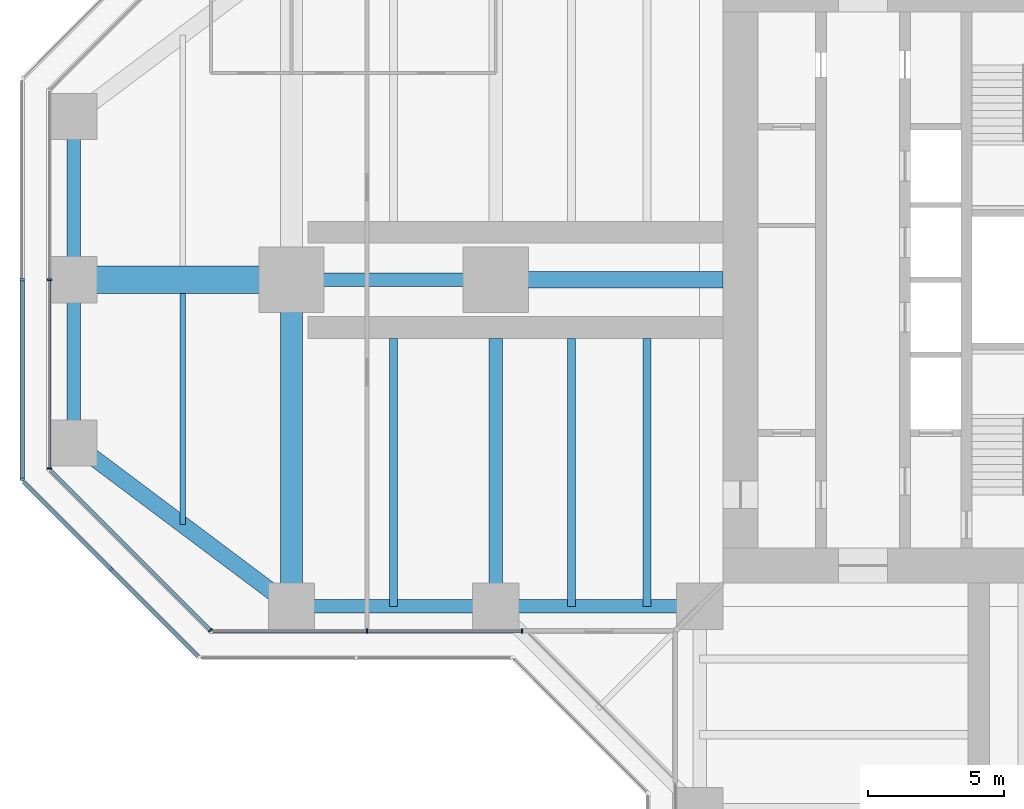
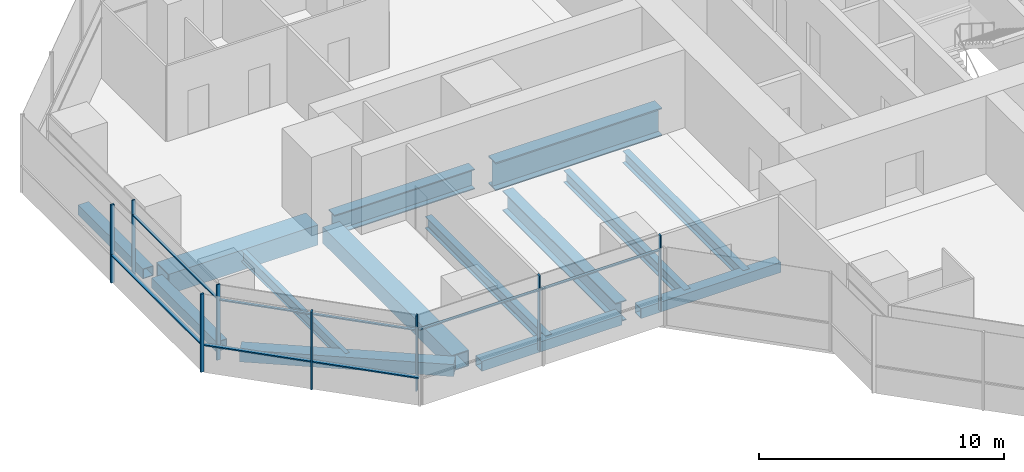
# One storey, part 3 of 19: 15 members, 14 beams, 5 elements without a shape of their own.
"""IFC4 building model written with IfcOpenShell, lengths in metres."""

from ifc_helpers import new_model, si_unit, direction, frame, origin, origin_2d, place, context, subcontext, project, spatial, rectangle, hollow_rectangle, i_section, extrude, material, material_profile, profile_set, type_object, element, aggregate, save


model = new_model("IFC4")

# Units and contexts
model_context = context("Model", 3, precision=1e-05, world=origin(), true_north=direction((0.0, 1.0)))
body_context = subcontext(model_context, "Body", "Model", "MODEL_VIEW")
ifc_project = project(units=[si_unit("LENGTHUNIT", "METRE"), si_unit("AREAUNIT", "SQUARE_METRE"), si_unit("VOLUMEUNIT", "CUBIC_METRE"), si_unit("PLANEANGLEUNIT", "RADIAN"), si_unit("MASSUNIT", "GRAM", prefix="KILO")], contexts=[model_context])

# Site, building, storey
site_placement = place(None, origin())
site = spatial("IfcSite", under=ifc_project, at=site_placement, CompositionType="ELEMENT")
building_placement = place(site_placement, origin())
building = spatial("IfcBuilding", under=site, at=building_placement, Name="Mizan Broadcast Tower", CompositionType="ELEMENT")
storey_placement = place(building_placement, frame((0.0, 0.0, 167.10009765625)))
storey = spatial("IfcBuildingStorey", under=building, at=storey_placement, Name="L38", CompositionType="ELEMENT", Elevation=167.10009765625)

# Beams
ifc_material_1 = material(Name="Steel S355", Category="steel")
ifc_material_profile_1 = material_profile(ifc_material_1, hollow_rectangle(XDim=0.5, YDim=0.5, WallThickness=0.030029296875, at=origin_2d()), Name="BOX 500x500x30")
ifc_profile_set_1 = profile_set([ifc_material_profile_1], Name="Steel S355")
beam_type_1 = type_object("IfcBeamType", Name="EDGE BEAM BOX 500x500x30", PredefinedType="SPANDREL", material=ifc_profile_set_1)
beam_1_placement = place(storey_placement, frame((-35.0, 5.639892578125, -0.380126953125), z_axis=(0.0, -1.0, 0.0), x_axis=(1.0, 0.0, 0.0)))
element("IfcBeam", 1, at=beam_1_placement, inside=storey, type_object=beam_type_1, Name="Edge beam BOX 500x500x30 L38 west arm", PredefinedType="SPANDREL", context=body_context, shape_type="SweptSolid", body=[
    extrude(hollow_rectangle(XDim=0.5, YDim=0.5, WallThickness=0.030029296875, at=origin_2d()), origin(), (0.0, 0.0, 1.0), 5.27978515625),
])
for number, where, z_axis, x_axis, name in (
    (2, (-12.449951171875, -12.0, -0.380126953125), (-1.0, 0.0, 0.0), (0.0, -1.0, 0.0), "Edge beam BOX 500x500x30 L38 west arm"),
    (3, (-19.949951171875, -12.0, -0.380126953125), (-1.0, 0.0, 0.0), (0.0, -1.0, 0.0), "Edge beam BOX 500x500x30 L38 west arm"),
):
    element("IfcBeam", number, at=place(storey_placement, frame(where, z_axis=z_axis, x_axis=x_axis)), inside=storey, type_object=beam_type_1, Name=name, PredefinedType="SPANDREL", context=body_context, shape_type="SweptSolid", body=[
        extrude(hollow_rectangle(XDim=0.5, YDim=0.5, WallThickness=0.030029296875, at=origin_2d()), origin(), (0.0, 0.0, 1.0), 6.60009765625),
    ])
beam_2_placement = place(storey_placement, frame((-35.0, -5.639892578125, -0.380126953125), z_axis=(0.0, 1.0, 0.0), x_axis=(-1.0, 0.0, 0.0)))
element("IfcBeam", 4, at=beam_2_placement, inside=storey, type_object=beam_type_1, Name="Edge beam BOX 500x500x30 L38 west arm", PredefinedType="SPANDREL", context=body_context, shape_type="SweptSolid", body=[
    extrude(hollow_rectangle(XDim=0.5, YDim=0.5, WallThickness=0.030029296875, at=origin_2d()), origin(), (0.0, 0.0, 1.0), 5.27978515625),
])
ifc_material_2 = material(Name="Steel S355", Category="steel")
ifc_material_profile_2 = material_profile(ifc_material_2, hollow_rectangle(XDim=0.60009765625, YDim=0.60009765625, WallThickness=0.030029296875, at=origin_2d()), Name="BOX 600x600x30")
ifc_profile_set_2 = profile_set([ifc_material_profile_2], Name="Steel S355")
beam_type_2 = type_object("IfcBeamType", Name="EDGE BEAM BOX 600x600x30", PredefinedType="SPANDREL", material=ifc_profile_set_2)
beam_3_placement = place(storey_placement, frame((-27.47998046875, -11.639892578125, -0.43017578125), z_axis=(-0.800013316712, 0.599982243973, 0.0), x_axis=(-0.599982243973, -0.800013316712, 0.0)))
element("IfcBeam", 5, at=beam_3_placement, inside=storey, type_object=beam_type_2, Name="Edge beam BOX 600x600x30 L38 west arm", PredefinedType="SPANDREL", context=body_context, shape_type="SweptSolid", body=[
    extrude(hollow_rectangle(XDim=0.60009765625, YDim=0.60009765625, WallThickness=0.030029296875, at=origin_2d()), origin(), (0.0, 0.0, 1.0), 8.7998046875),
])
ifc_material_3 = material(Name="Steel S460", Category="steel")
ifc_material_profile_3 = material_profile(ifc_material_3, hollow_rectangle(XDim=1.0, YDim=1.0, WallThickness=0.06005859375, at=origin_2d()), Name="BOX 1000x1000x60")
ifc_profile_set_3 = profile_set([ifc_material_profile_3], Name="Steel S460")
beam_type_3 = type_object("IfcBeamType", Name="GIRDER BOX 1000x1000x60", PredefinedType="BEAM", material=ifc_profile_set_3)
beam_4_placement = place(storey_placement, frame((-27.47998046875, 0.0, -0.630126953125), z_axis=(-1.0, 0.0, 0.0), x_axis=(0.0, -1.0, 0.0)))
element("IfcBeam", 6, at=beam_4_placement, inside=storey, type_object=beam_type_3, Name="Girder BOX 1000x1000x60 L38 west arm", PredefinedType="BEAM", context=body_context, shape_type="SweptSolid", body=[
    extrude(hollow_rectangle(XDim=1.0, YDim=1.0, WallThickness=0.06005859375, at=origin_2d()), origin(), (0.0, 0.0, 1.0), 7.0400390625),
])
ifc_material_4 = material(Name="Steel S460", Category="steel")
ifc_material_profile_4 = material_profile(ifc_material_4, hollow_rectangle(XDim=0.800048828125, YDim=0.800048828125, WallThickness=0.050048828125, at=origin_2d()), Name="BOX 800x800x50")
ifc_profile_set_4 = profile_set([ifc_material_profile_4], Name="Steel S460")
beam_type_4 = type_object("IfcBeamType", Name="GIRDER BOX 800x800x50", PredefinedType="BEAM", material=ifc_profile_set_4)
beam_5_placement = place(storey_placement, frame((-27.0, -11.280029296875, -0.530029296875), z_axis=(0.0, 1.0, 0.0), x_axis=(-1.0, 0.0, 0.0)))
element("IfcBeam", 7, at=beam_5_placement, inside=storey, type_object=beam_type_4, Name="Girder BOX 800x800x50 L38 west arm", PredefinedType="BEAM", context=body_context, shape_type="SweptSolid", body=[
    extrude(hollow_rectangle(XDim=0.800048828125, YDim=0.800048828125, WallThickness=0.050048828125, at=origin_2d()), origin(), (0.0, 0.0, 1.0), 10.56005859375),
])
ifc_material_5 = material(Name="Steel S460", Category="steel")
ifc_material_profile_5 = material_profile(ifc_material_5, i_section(OverallWidth=0.5, OverallDepth=1.0, WebThickness=0.02490234375, FlangeThickness=0.050048828125, at=origin_2d()), Name="WPG 1000x500")
ifc_profile_set_5 = profile_set([ifc_material_profile_5], Name="Steel S460")
beam_type_5 = type_object("IfcBeamType", Name="GIRDER WPG 1000x500", PredefinedType="BEAM", material=ifc_profile_set_5)
beam_6_placement = place(storey_placement, frame((-19.949951171875, 0.0, -0.630126953125), z_axis=(-1.0, 0.0, 0.0), x_axis=(0.0, -1.0, 0.0)))
element("IfcBeam", 8, at=beam_6_placement, inside=storey, type_object=beam_type_5, Name="Girder WPG 1000x500 L38 west arm", PredefinedType="BEAM", context=body_context, shape_type="SweptSolid", body=[
    extrude(i_section(OverallWidth=0.5, OverallDepth=1.0, WebThickness=0.02490234375, FlangeThickness=0.050048828125, at=origin_2d()), origin(), (0.0, 0.0, 1.0), 6.60009765625),
])
beam_7_placement = place(storey_placement, frame((-19.5, -11.408935546875, -0.630126953125), z_axis=(0.0, 1.0, 0.0), x_axis=(-1.0, 0.0, 0.0)))
element("IfcBeam", 9, at=beam_7_placement, inside=storey, type_object=beam_type_5, Name="Girder WPG 1000x500 L38 west arm", PredefinedType="BEAM", context=body_context, shape_type="SweptSolid", body=[
    extrude(i_section(OverallWidth=0.5, OverallDepth=1.0, WebThickness=0.02490234375, FlangeThickness=0.050048828125, at=origin_2d()), origin(), (0.0, 0.0, 1.0), 9.259033203125),
])
ifc_material_6 = material(Name="Steel S460", Category="steel")
ifc_material_profile_6 = material_profile(ifc_material_6, i_section(OverallWidth=0.60009765625, OverallDepth=1.39990234375, WebThickness=0.02490234375, FlangeThickness=0.06005859375, at=origin_2d()), Name="WPG 1400x600")
ifc_profile_set_6 = profile_set([ifc_material_profile_6], Name="Steel S460")
beam_type_6 = type_object("IfcBeamType", Name="GIRDER WPG 1400x600", PredefinedType="BEAM", material=ifc_profile_set_6)
beam_8_placement = place(storey_placement, frame((-11.14990234375, 0.0, -0.830078125), z_axis=(-1.0, 0.0, 0.0), x_axis=(0.0, -1.0, 0.0)))
element("IfcBeam", 10, at=beam_8_placement, inside=storey, type_object=beam_type_6, Name="Girder WPG 1400x600 L38 west arm", PredefinedType="BEAM", context=body_context, shape_type="SweptSolid", body=[
    extrude(i_section(OverallWidth=0.60009765625, OverallDepth=1.39990234375, WebThickness=0.02490234375, FlangeThickness=0.06005859375, at=origin_2d()), origin(), (0.0, 0.0, 1.0), 7.84912109375),
])

# Curtain wall, members
ifc_material_7 = material(Name="Aluminium framed glazing", Category="aluminium")
curtain_wall_type_1 = type_object("IfcCurtainWallType", Name="INNER SKIN MID ZONE", PredefinedType="USERDEFINED", material=ifc_material_7)
curtain_wall_1_placement = place(storey_placement, origin())
curtain_wall_1 = element("IfcCurtainWall", 11, at=curtain_wall_1_placement, inside=storey, type_object=curtain_wall_type_1, Name="Inner skin mid zone L38 W end", ObjectType="INNER SKIN MID ZONE", PredefinedType="USERDEFINED")
ifc_material_8 = material(Name="Aluminium, pale anodised", Category="aluminium")
ifc_material_profile_7 = material_profile(ifc_material_8, rectangle(XDim=0.159912109375, YDim=0.06005859375, at=origin_2d()), Name="MULLION 160x60")
ifc_profile_set_7 = profile_set([ifc_material_profile_7], Name="Aluminium, pale anodised")
member_type_1 = type_object("IfcMemberType", Name="INNER SKIN MULLION 60x160", PredefinedType="MULLION", material=ifc_profile_set_7)
member_1_placement = place(storey_placement, frame((-35.89990234375, 0.0, 0.0), z_axis=(0.0, 0.0, 1.0), x_axis=(1.0, 0.0, 0.0)))
member_1 = element("IfcMember", 12, at=member_1_placement, type_object=member_type_1, Name="Inner skin mid zone L38 W end mullion 2", PredefinedType="MULLION", context=body_context, shape_type="SweptSolid", body=[
    extrude(rectangle(XDim=0.159912109375, YDim=0.06005859375, at=origin_2d()), origin(), (0.0, 0.0, 1.0), 3.77001953125),
])
member_2_placement = place(storey_placement, frame((-35.89990234375, -6.928466796875, 0.0), z_axis=(0.0, 0.0, 1.0), x_axis=(1.0, 0.0, 0.0)))
member_2 = element("IfcMember", 13, at=member_2_placement, type_object=member_type_1, Name="Inner skin mid zone L38 W end mullion 3", PredefinedType="MULLION", context=body_context, shape_type="SweptSolid", body=[
    extrude(rectangle(XDim=0.159912109375, YDim=0.06005859375, at=origin_2d()), origin(), (0.0, 0.0, 1.0), 3.77001953125),
])

# Curtain wall, member
curtain_wall_2_placement = place(storey_placement, origin())
curtain_wall_2 = element("IfcCurtainWall", 14, at=curtain_wall_2_placement, inside=storey, type_object=curtain_wall_type_1, Name="Inner skin mid zone L38 W chamfer", ObjectType="INNER SKIN MID ZONE", PredefinedType="USERDEFINED")
member_3_placement = place(storey_placement, frame((-29.979736328125, -12.87890625, 0.0), z_axis=(0.0, 0.0, 1.0), x_axis=(0.707106781187, 0.707106781187, 0.0)))
member_3 = element("IfcMember", 15, at=member_3_placement, type_object=member_type_1, Name="Inner skin mid zone L38 W chamfer mullion 2", PredefinedType="MULLION", context=body_context, shape_type="SweptSolid", body=[
    extrude(rectangle(XDim=0.159912109375, YDim=0.06005859375, at=origin_2d()), origin(), (0.0, 0.0, 1.0), 3.77001953125),
])

# Curtain wall, members
curtain_wall_3_placement = place(storey_placement, origin())
curtain_wall_3 = element("IfcCurtainWall", 16, at=curtain_wall_3_placement, inside=storey, type_object=curtain_wall_type_1, Name="Inner skin mid zone L38 W side", ObjectType="INNER SKIN MID ZONE", PredefinedType="USERDEFINED")
member_4_placement = place(storey_placement, frame((-24.229248046875, -12.89990234375, 0.0), z_axis=(0.0, 0.0, 1.0), x_axis=(0.0, 1.0, 0.0)))
member_4 = element("IfcMember", 17, at=member_4_placement, type_object=member_type_1, Name="Inner skin mid zone L38 W side mullion 2", PredefinedType="MULLION", context=body_context, shape_type="SweptSolid", body=[
    extrude(rectangle(XDim=0.159912109375, YDim=0.06005859375, at=origin_2d()), origin(), (0.0, 0.0, 1.0), 3.77001953125),
])
member_5_placement = place(storey_placement, frame((-18.530029296875, -12.89990234375, 0.0), z_axis=(0.0, 0.0, 1.0), x_axis=(0.0, 1.0, 0.0)))
member_5 = element("IfcMember", 18, at=member_5_placement, type_object=member_type_1, Name="Inner skin mid zone L38 W side mullion 3", PredefinedType="MULLION", context=body_context, shape_type="SweptSolid", body=[
    extrude(rectangle(XDim=0.159912109375, YDim=0.06005859375, at=origin_2d()), origin(), (0.0, 0.0, 1.0), 3.77001953125),
])

# Member
ifc_material_9 = material(Name="Aluminium, pale anodised", Category="aluminium")
ifc_material_profile_8 = material_profile(ifc_material_9, rectangle(XDim=0.1201171875, YDim=0.06005859375, at=origin_2d()), Name="TRANSOM 120x60")
ifc_profile_set_8 = profile_set([ifc_material_profile_8], Name="Aluminium, pale anodised")
member_type_2 = type_object("IfcMemberType", Name="INNER SKIN TRANSOM 60x120", PredefinedType="USERDEFINED", material=ifc_profile_set_8)
member_6_placement = place(storey_placement, frame((-35.89990234375, -0.030029296875, 3.02978515625), z_axis=(0.0, -1.0, 0.0), x_axis=(1.0, 0.0, 0.0)))
member_6 = element("IfcMember", 19, at=member_6_placement, type_object=member_type_2, Name="Inner skin mid zone L38 W end transom 2.1", ObjectType="TRANSOM", PredefinedType="USERDEFINED", context=body_context, shape_type="SweptSolid", body=[
    extrude(rectangle(XDim=0.1201171875, YDim=0.06005859375, at=origin_2d()), origin(), (0.0, 0.0, 1.0), 6.86865234375),
])

aggregate(curtain_wall_1, [member_1, member_2, member_6])

member_7_placement = place(storey_placement, frame((-35.857666015625, -7.0009765625, 3.02978515625), z_axis=(0.707106781187, -0.707106781187, 0.0), x_axis=(0.707106781187, 0.707106781187, 0.0)))
member_7 = element("IfcMember", 20, at=member_7_placement, type_object=member_type_2, Name="Inner skin mid zone L38 W chamfer transom 1.1", ObjectType="TRANSOM", PredefinedType="USERDEFINED", context=body_context, shape_type="SweptSolid", body=[
    extrude(rectangle(XDim=0.1201171875, YDim=0.06005859375, at=origin_2d()), origin(), (0.0, 0.0, 1.0), 8.28271484375),
])

aggregate(curtain_wall_2, [member_3, member_7])

member_8_placement = place(storey_placement, frame((-29.898681640625, -12.89990234375, 3.02978515625), z_axis=(1.0, 0.0, 0.0), x_axis=(0.0, 1.0, 0.0)))
member_8 = element("IfcMember", 21, at=member_8_placement, type_object=member_type_2, Name="Inner skin mid zone L38 W side transom 1.1", ObjectType="TRANSOM", PredefinedType="USERDEFINED", context=body_context, shape_type="SweptSolid", body=[
    extrude(rectangle(XDim=0.1201171875, YDim=0.06005859375, at=origin_2d()), origin(), (0.0, 0.0, 1.0), 5.639404296875),
])

member_9_placement = place(storey_placement, frame((-24.19921875, -12.89990234375, 3.02978515625), z_axis=(1.0, 0.0, 0.0), x_axis=(0.0, 1.0, 0.0)))
member_9 = element("IfcMember", 22, at=member_9_placement, type_object=member_type_2, Name="Inner skin mid zone L38 W side transom 2.1", ObjectType="TRANSOM", PredefinedType="USERDEFINED", context=body_context, shape_type="SweptSolid", body=[
    extrude(rectangle(XDim=0.1201171875, YDim=0.06005859375, at=origin_2d()), origin(), (0.0, 0.0, 1.0), 5.63916015625),
])

aggregate(curtain_wall_3, [member_4, member_5, member_8, member_9])

# Curtain wall, members
ifc_material_10 = material(Name="Aluminium framed glazing", Category="aluminium")
curtain_wall_type_2 = type_object("IfcCurtainWallType", Name="OUTER SKIN", PredefinedType="USERDEFINED", material=ifc_material_10)
curtain_wall_4_placement = place(storey_placement, origin())
curtain_wall_4 = element("IfcCurtainWall", 23, at=curtain_wall_4_placement, inside=storey, type_object=curtain_wall_type_2, Name="Outer skin L38 W end", ObjectType="OUTER SKIN", PredefinedType="USERDEFINED")
ifc_material_11 = material(Name="Aluminium, pale anodised", Category="aluminium")
ifc_material_profile_9 = material_profile(ifc_material_11, rectangle(XDim=0.159912109375, YDim=0.080078125, at=origin_2d()), Name="MULLION 160x80")
ifc_profile_set_9 = profile_set([ifc_material_profile_9], Name="Aluminium, pale anodised")
member_type_3 = type_object("IfcMemberType", Name="OUTER SKIN MULLION 80x160", PredefinedType="MULLION", material=ifc_profile_set_9)
member_10_placement = place(storey_placement, frame((-36.89990234375, 0.0, 0.0), z_axis=(0.0, 0.0, 1.0), x_axis=(1.0, 0.0, 0.0)))
member_10 = element("IfcMember", 24, at=member_10_placement, type_object=member_type_3, Name="Outer skin L38 W end mullion 2", PredefinedType="MULLION", context=body_context, shape_type="SweptSolid", body=[
    extrude(rectangle(XDim=0.159912109375, YDim=0.080078125, at=origin_2d()), origin(), (0.0, 0.0, 1.0), 3.89990234375),
])
member_11_placement = place(storey_placement, frame((-36.89990234375, -7.332763671875, 0.0), z_axis=(0.0, 0.0, 1.0), x_axis=(1.0, 0.0, 0.0)))
member_11 = element("IfcMember", 25, at=member_11_placement, type_object=member_type_3, Name="Outer skin L38 W end mullion 3", PredefinedType="MULLION", context=body_context, shape_type="SweptSolid", body=[
    extrude(rectangle(XDim=0.159912109375, YDim=0.080078125, at=origin_2d()), origin(), (0.0, 0.0, 1.0), 3.89990234375),
])

# Curtain wall, member
curtain_wall_5_placement = place(storey_placement, origin())
curtain_wall_5 = element("IfcCurtainWall", 26, at=curtain_wall_5_placement, inside=storey, type_object=curtain_wall_type_2, Name="Outer skin L38 W chamfer", ObjectType="OUTER SKIN", PredefinedType="USERDEFINED")
member_12_placement = place(storey_placement, frame((-33.636474609375, -10.636474609375, 0.0), z_axis=(0.0, 0.0, 1.0), x_axis=(0.707106781187, 0.707106781187, 0.0)))
member_12 = element("IfcMember", 27, at=member_12_placement, type_object=member_type_3, Name="Outer skin L38 W chamfer mullion 2", PredefinedType="MULLION", context=body_context, shape_type="SweptSolid", body=[
    extrude(rectangle(XDim=0.159912109375, YDim=0.080078125, at=origin_2d()), origin(), (0.0, 0.0, 1.0), 3.89990234375),
])

# Member
ifc_material_12 = material(Name="Aluminium, pale anodised", Category="aluminium")
ifc_material_profile_10 = material_profile(ifc_material_12, rectangle(XDim=0.159912109375, YDim=0.06005859375, at=origin_2d()), Name="TRANSOM 160x60")
ifc_profile_set_10 = profile_set([ifc_material_profile_10], Name="Aluminium, pale anodised")
member_type_4 = type_object("IfcMemberType", Name="OUTER SKIN TRANSOM 60x160", PredefinedType="USERDEFINED", material=ifc_profile_set_10)
member_13_placement = place(storey_placement, frame((-36.89990234375, -0.0400390625, 1.39990234375), z_axis=(0.0, -1.0, 0.0), x_axis=(1.0, 0.0, 0.0)))
member_13 = element("IfcMember", 28, at=member_13_placement, type_object=member_type_4, Name="Outer skin L38 W end transom 2.1", ObjectType="TRANSOM", PredefinedType="USERDEFINED", context=body_context, shape_type="SweptSolid", body=[
    extrude(rectangle(XDim=0.159912109375, YDim=0.06005859375, at=origin_2d()), origin(), (0.0, 0.0, 1.0), 7.252685546875),
])

aggregate(curtain_wall_4, [member_10, member_11, member_13])

member_14_placement = place(storey_placement, frame((-36.843505859375, -7.429443359375, 1.39990234375), z_axis=(0.707106781187, -0.707106781187, 0.0), x_axis=(0.707106781187, 0.707106781187, 0.0)))
member_14 = element("IfcMember", 29, at=member_14_placement, type_object=member_type_4, Name="Outer skin L38 W chamfer transom 1.1", ObjectType="TRANSOM", PredefinedType="USERDEFINED", context=body_context, shape_type="SweptSolid", body=[
    extrude(rectangle(XDim=0.159912109375, YDim=0.06005859375, at=origin_2d()), origin(), (0.0, 0.0, 1.0), 4.495361328125),
])

member_15_placement = place(storey_placement, frame((-33.608154296875, -10.664794921875, 1.39990234375), z_axis=(0.707106781187, -0.707106781187, 0.0), x_axis=(0.707106781187, 0.707106781187, 0.0)))
member_15 = element("IfcMember", 30, at=member_15_placement, type_object=member_type_4, Name="Outer skin L38 W chamfer transom 2.1", ObjectType="TRANSOM", PredefinedType="USERDEFINED", context=body_context, shape_type="SweptSolid", body=[
    extrude(rectangle(XDim=0.159912109375, YDim=0.06005859375, at=origin_2d()), origin(), (0.0, 0.0, 1.0), 4.495361328125),
])

aggregate(curtain_wall_5, [member_12, member_14, member_15])

# Beams
ifc_material_13 = material(Name="Steel S355", Category="steel")
ifc_material_profile_11 = material_profile(ifc_material_13, i_section(OverallWidth=0.300048828125, OverallDepth=0.590087890625, WebThickness=0.012939453125, FlangeThickness=0.02490234375, FilletRadius=0.027099609375, at=origin_2d()), Name="HEA 600")
ifc_profile_set_11 = profile_set([ifc_material_profile_11], Name="Steel S355")
beam_type_7 = type_object("IfcBeamType", Name="SECONDARY BEAM HEA 600", PredefinedType="JOIST", material=ifc_profile_set_11)
for number, where, z_axis, x_axis, name in (
    (31, (-13.933349609375, -12.0, -0.425048828125), (0.0, 1.0, 0.0), (-1.0, 0.0, 0.0), "Secondary beam HEA 600 L38 west arm"),
    (32, (-16.716552734375, -12.0, -0.425048828125), (0.0, 1.0, 0.0), (-1.0, 0.0, 0.0), "Secondary beam HEA 600 L38 west arm"),
    (33, (-23.25, -12.0, -0.425048828125), (0.0, 1.0, 0.0), (-1.0, 0.0, 0.0), "Secondary beam HEA 600 L38 west arm"),
):
    element("IfcBeam", number, at=place(storey_placement, frame(where, z_axis=z_axis, x_axis=x_axis)), inside=storey, type_object=beam_type_7, Name=name, PredefinedType="JOIST", context=body_context, shape_type="SweptSolid", body=[
        extrude(i_section(OverallWidth=0.300048828125, OverallDepth=0.590087890625, WebThickness=0.012939453125, FlangeThickness=0.02490234375, FilletRadius=0.027099609375, at=origin_2d()), origin(), (0.0, 0.0, 1.0), 9.85009765625),
    ])
ifc_material_14 = material(Name="Steel S355", Category="steel")
ifc_material_profile_12 = material_profile(ifc_material_14, i_section(OverallWidth=0.2099609375, OverallDepth=0.550048828125, WebThickness=0.010986328125, FlangeThickness=0.01708984375, FilletRadius=0.02392578125, at=origin_2d()), Name="IPE 550")
ifc_profile_set_12 = profile_set([ifc_material_profile_12], Name="Steel S355")
beam_type_8 = type_object("IfcBeamType", Name="SECONDARY BEAM IPE 550", PredefinedType="JOIST", material=ifc_profile_set_12)
beam_9_placement = place(storey_placement, frame((-31.0, -9.0, -0.405029296875), z_axis=(0.0, 1.0, 0.0), x_axis=(-1.0, 0.0, 0.0)))
element("IfcBeam", 34, at=beam_9_placement, inside=storey, type_object=beam_type_8, Name="Secondary beam IPE 550 L38 west arm", PredefinedType="JOIST", context=body_context, shape_type="SweptSolid", body=[
    extrude(i_section(OverallWidth=0.2099609375, OverallDepth=0.550048828125, WebThickness=0.010986328125, FlangeThickness=0.01708984375, FilletRadius=0.02392578125, at=origin_2d()), origin(), (0.0, 0.0, 1.0), 8.5),
])

save(model, "model.ifc")
